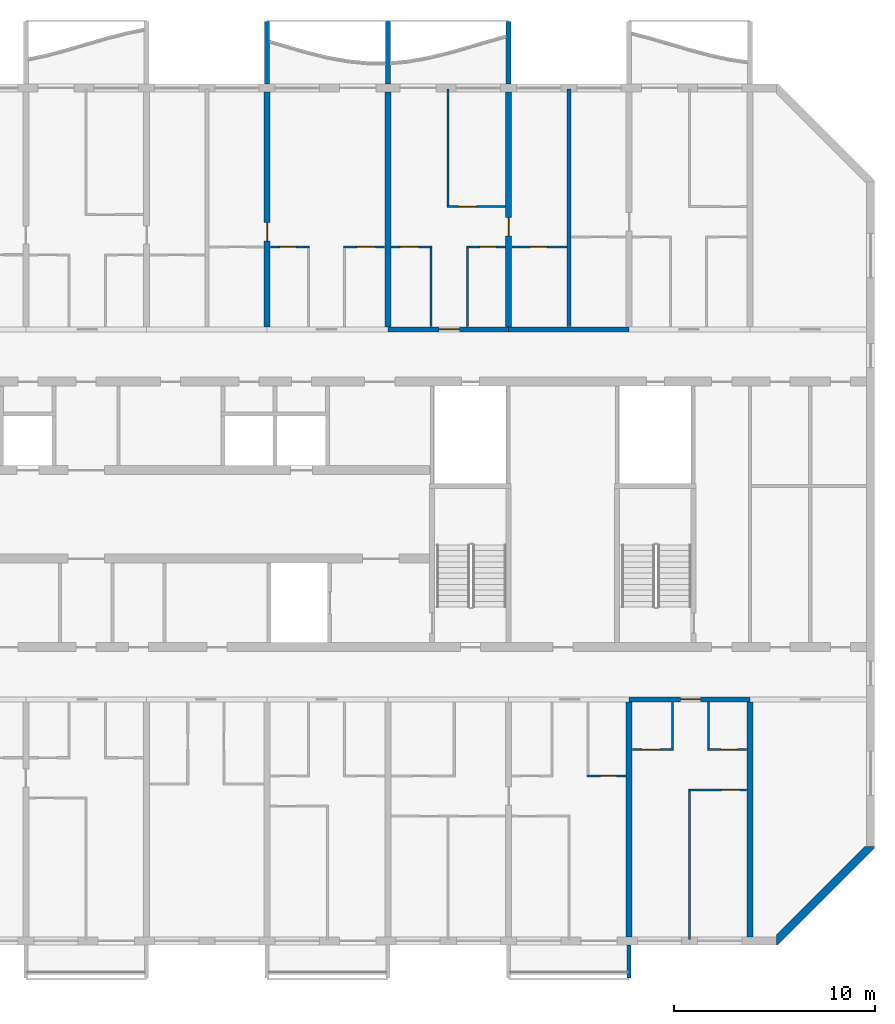
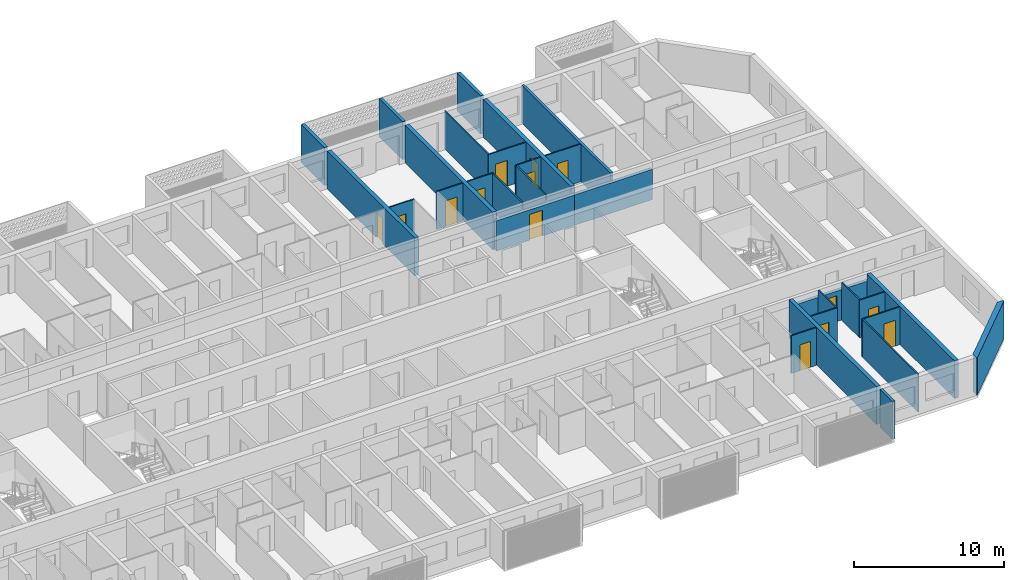
# One storey, part 11 of 32: 30 walls, 14 doors, 14 openings.
"""IFC4 building model written with IfcOpenShell, lengths in metres."""

from ifc_helpers import new_model, si_unit, direction, frame, frame_2d, origin, place, context, subcontext, project, spatial, polyline, rectangle, outline, extrude, source, transform, mapped, material, layer, layer_set, type_object, element, fill, save


model = new_model("IFC4")

# Units and contexts
model_context = context("Model", 3, precision=1e-05, world=origin(), true_north=direction((0.0, 1.0)))
body_context = subcontext(model_context, "Body", "Model", "MODEL_VIEW")
ifc_project = project(units=[si_unit("LENGTHUNIT", "METRE"), si_unit("AREAUNIT", "SQUARE_METRE"), si_unit("VOLUMEUNIT", "CUBIC_METRE"), si_unit("PLANEANGLEUNIT", "RADIAN"), si_unit("MASSUNIT", "GRAM", prefix="KILO")], contexts=[model_context])

# Site, building, storey
site_placement = place(None, origin())
site = spatial("IfcSite", under=ifc_project, at=site_placement, CompositionType="ELEMENT")
building_placement = place(site_placement, origin())
building = spatial("IfcBuilding", under=site, at=building_placement, Name="Poui Terraces", CompositionType="ELEMENT")
storey_placement = place(building_placement, frame((0.0, 0.0, 129.0)))
storey = spatial("IfcBuildingStorey", under=building, at=storey_placement, Name="L35", CompositionType="ELEMENT", Elevation=129.0)

# Wall, opening, door
ifc_material_1 = material(Name="Concrete 65 MPa", Category="concrete")
ifc_layer_1 = layer(ifc_material_1, 0.25)
ifc_layer_set_1 = layer_set([ifc_layer_1], Name="Concrete 65 MPa")
wall_type_1 = type_object("IfcWallType", Name="CORRIDOR WALL 250 65MPa", PredefinedType="SHEAR", material=ifc_layer_set_1)
wall_1_placement = place(storey_placement, frame((78.0, 12.0, 0.0), z_axis=(0.0, 0.0, 1.0), x_axis=(1.0, 0.0, 0.0)))
wall_1 = element("IfcWall", 1, at=wall_1_placement, inside=storey, type_object=wall_type_1, Name="CORRIDOR WALL LINE B BAY 12", PredefinedType="SHEAR", context=body_context, shape_type="SweptSolid", body=[
    extrude(rectangle(XDim=6.0, YDim=0.25, at=frame_2d((3.0, 0.0))), origin(), (0.0, 0.0, 1.0), 2.469970703125),
])
opening_1_placement = place(wall_1_placement, frame((2.550048828125, 0.0, 0.0)))
opening_1 = element("IfcOpeningElement", 2, at=opening_1_placement, cuts=wall_1, Name="Opening FD30S", PredefinedType="OPENING", context=body_context, shape_type="SweptSolid", body=[
    extrude(rectangle(XDim=1.0, YDim=2.10009765625, at=frame_2d((0.5, 1.050048828125))), frame((0.0, 0.135009765625, 0.0), z_axis=(0.0, -1.0, 0.0), x_axis=(1.0, 0.0, 0.0)), (0.0, 0.0, 1.0), 0.27001953125),
])
ifc_material_2 = material(Name="Steel fire door", Category="steel")
door_type_1 = type_object("IfcDoorType", Name="FLAT ENTRANCE DOOR 1000 X 2100", OperationType="NOTDEFINED", PredefinedType="DOOR", material=ifc_material_2)
door_1_placement = place(opening_1_placement, frame((1.0, 0.0, 0.0), z_axis=(0.0, 0.0, 1.0), x_axis=(-1.0, 0.0, 0.0)))
door_1 = element("IfcDoor", 3, at=door_1_placement, inside=storey, type_object=door_type_1, Name="FLAT ENTRANCE DOOR 117", OperationType="SINGLE_SWING_LEFT", OverallHeight=2.10009765625, OverallWidth=1.0, PredefinedType="DOOR", context=body_context, shape_type="SweptSolid", body=[
    extrude(rectangle(XDim=1.0, YDim=2.10009765625, at=frame_2d((0.5, 1.050048828125))), frame((0.0, 0.02490234375, 0.0), z_axis=(0.0, -1.0, 0.0), x_axis=(1.0, 0.0, 0.0)), (0.0, 0.0, 1.0), 0.050048828125),
])
fill(opening_1, door_1)

wall_2_placement = place(storey_placement, frame((66.0, 30.39990234375, 0.0), z_axis=(0.0, 0.0, 1.0), x_axis=(1.0, 0.0, 0.0)))
wall_2 = element("IfcWall", 4, at=wall_2_placement, inside=storey, type_object=wall_type_1, Name="CORRIDOR WALL LINE E BAY 10", PredefinedType="SHEAR", context=body_context, shape_type="SweptSolid", body=[
    extrude(rectangle(XDim=6.0, YDim=0.25, at=frame_2d((3.0, 0.0))), origin(), (0.0, 0.0, 1.0), 2.469970703125),
])
opening_2_placement = place(wall_2_placement, frame((2.550048828125, 0.0, 0.0)))
opening_2 = element("IfcOpeningElement", 5, at=opening_2_placement, cuts=wall_2, Name="Opening FD30S", PredefinedType="OPENING", context=body_context, shape_type="SweptSolid", body=[
    extrude(rectangle(XDim=1.0, YDim=2.10009765625, at=frame_2d((0.5, 1.050048828125))), frame((0.0, 0.135009765625, 0.0), z_axis=(0.0, -1.0, 0.0), x_axis=(1.0, 0.0, 0.0)), (0.0, 0.0, 1.0), 0.27001953125),
])
door_2_placement = place(opening_2_placement, origin())
door_2 = element("IfcDoor", 6, at=door_2_placement, inside=storey, type_object=door_type_1, Name="FLAT ENTRANCE DOOR 067", OperationType="SINGLE_SWING_RIGHT", OverallHeight=2.10009765625, OverallWidth=1.0, PredefinedType="DOOR", context=body_context, shape_type="SweptSolid", body=[
    extrude(rectangle(XDim=1.0, YDim=2.10009765625, at=frame_2d((0.5, 1.050048828125))), frame((0.0, 0.02490234375, 0.0), z_axis=(0.0, -1.0, 0.0), x_axis=(1.0, 0.0, 0.0)), (0.0, 0.0, 1.0), 0.050048828125),
])
fill(opening_2, door_2)

# Wall
wall_3_placement = place(storey_placement, frame((72.0, 30.39990234375, 0.0), z_axis=(0.0, 0.0, 1.0), x_axis=(1.0, 0.0, 0.0)))
element("IfcWall", 7, at=wall_3_placement, inside=storey, type_object=wall_type_1, Name="CORRIDOR WALL LINE E BAY 11", PredefinedType="SHEAR", context=body_context, shape_type="SweptSolid", body=[
    extrude(rectangle(XDim=6.0, YDim=0.25, at=frame_2d((3.0, 0.0))), origin(), (0.0, 0.0, 1.0), 2.469970703125),
])

# Wall, opening, door
ifc_layer_2 = layer(ifc_material_1, 0.300048828125)
ifc_layer_set_2 = layer_set([ifc_layer_2], Name="Concrete 65 MPa")
wall_type_2 = type_object("IfcWallType", Name="CROSS WALL 300 65MPa", PredefinedType="SHEAR", material=ifc_layer_set_2)
wall_4_placement = place(storey_placement, frame((60.0, 30.52490234375, 0.0), z_axis=(0.0, 0.0, 1.0), x_axis=(0.0, 1.0, 0.0)))
wall_4 = element("IfcWall", 8, at=wall_4_placement, inside=storey, type_object=wall_type_2, Name="CROSS WALL LINE 11 NORTH", PredefinedType="SHEAR", context=body_context, shape_type="SweptSolid", body=[
    extrude(rectangle(XDim=11.675048828125, YDim=0.300048828125, at=frame_2d((5.83740234375, 0.0))), origin(), (0.0, 0.0, 1.0), 3.070068359375),
])
opening_3_placement = place(wall_4_placement, frame((4.27490234375, 0.0, 0.0)))
opening_3 = element("IfcOpeningElement", 9, at=opening_3_placement, cuts=wall_4, Name="Opening D90", PredefinedType="OPENING", context=body_context, shape_type="SweptSolid", body=[
    extrude(rectangle(XDim=0.89990234375, YDim=2.10009765625, at=frame_2d((0.449951171875, 1.050048828125))), frame((0.0, 0.16015625, 0.0), z_axis=(0.0, -1.0, 0.0), x_axis=(1.0, 0.0, 0.0)), (0.0, 0.0, 1.0), 0.320068359375),
])
ifc_material_3 = material(Name="Solid core timber door", Category="wood")
door_type_2 = type_object("IfcDoorType", Name="INTERNAL DOOR 900 X 2100", OperationType="NOTDEFINED", PredefinedType="DOOR", material=ifc_material_3)
door_3_placement = place(opening_3_placement, origin())
door_3 = element("IfcDoor", 10, at=door_3_placement, inside=storey, type_object=door_type_2, Name="INTERNAL DOOR 061", OperationType="SINGLE_SWING_LEFT", OverallHeight=2.10009765625, OverallWidth=0.89990234375, PredefinedType="DOOR", context=body_context, shape_type="SweptSolid", body=[
    extrude(rectangle(XDim=0.89990234375, YDim=2.10009765625, at=frame_2d((0.449951171875, 1.050048828125))), frame((0.0, 0.02490234375, 0.0), z_axis=(0.0, -1.0, 0.0), x_axis=(1.0, 0.0, 0.0)), (0.0, 0.0, 1.0), 0.050048828125),
])
fill(opening_3, door_3)

# Wall
wall_5_placement = place(storey_placement, frame((66.0, 30.52490234375, 0.0), z_axis=(0.0, 0.0, 1.0), x_axis=(0.0, 1.0, 0.0)))
element("IfcWall", 11, at=wall_5_placement, inside=storey, type_object=wall_type_2, Name="CROSS WALL LINE 12 NORTH", PredefinedType="SHEAR", context=body_context, shape_type="SweptSolid", body=[
    extrude(rectangle(XDim=11.675048828125, YDim=0.300048828125, at=frame_2d((5.83740234375, 0.0))), origin(), (0.0, 0.0, 1.0), 3.070068359375),
])

# Wall, opening, door
wall_6_placement = place(storey_placement, frame((72.0, 30.52490234375, 0.0), z_axis=(0.0, 0.0, 1.0), x_axis=(0.0, 1.0, 0.0)))
wall_6 = element("IfcWall", 12, at=wall_6_placement, inside=storey, type_object=wall_type_2, Name="CROSS WALL LINE 13 NORTH", PredefinedType="SHEAR", context=body_context, shape_type="SweptSolid", body=[
    extrude(rectangle(XDim=11.675048828125, YDim=0.300048828125, at=frame_2d((5.83740234375, 0.0))), origin(), (0.0, 0.0, 1.0), 3.070068359375),
])
opening_4_placement = place(wall_6_placement, frame((4.52490234375, 0.0, 0.0)))
opening_4 = element("IfcOpeningElement", 13, at=opening_4_placement, cuts=wall_6, Name="Opening D90", PredefinedType="OPENING", context=body_context, shape_type="SweptSolid", body=[
    extrude(rectangle(XDim=0.89990234375, YDim=2.10009765625, at=frame_2d((0.449951171875, 1.050048828125))), frame((0.0, 0.16015625, 0.0), z_axis=(0.0, -1.0, 0.0), x_axis=(1.0, 0.0, 0.0)), (0.0, 0.0, 1.0), 0.320068359375),
])
door_4_placement = place(opening_4_placement, frame((0.89990234375, 0.0, 0.0), z_axis=(0.0, 0.0, 1.0), x_axis=(-1.0, 0.0, 0.0)))
door_4 = element("IfcDoor", 14, at=door_4_placement, inside=storey, type_object=door_type_2, Name="INTERNAL DOOR 070", OperationType="SINGLE_SWING_RIGHT", OverallHeight=2.10009765625, OverallWidth=0.89990234375, PredefinedType="DOOR", context=body_context, shape_type="SweptSolid", body=[
    extrude(rectangle(XDim=0.89990234375, YDim=2.10009765625, at=frame_2d((0.449951171875, 1.050048828125))), frame((0.0, 0.02490234375, 0.0), z_axis=(0.0, -1.0, 0.0), x_axis=(1.0, 0.0, 0.0)), (0.0, 0.0, 1.0), 0.050048828125),
])
fill(opening_4, door_4)

# Walls
for number, where, z_axis, x_axis, name in (
    (15, (78.0, 0.199951171875, 0.0), (0.0, 0.0, 1.0), (0.0, 1.0, 0.0), "CROSS WALL LINE 14 SOUTH"),
    (16, (84.0, 0.199951171875, 0.0), (0.0, 0.0, 1.0), (0.0, 1.0, 0.0), "CROSS WALL LINE 15 SOUTH"),
):
    element("IfcWall", number, at=place(storey_placement, frame(where, z_axis=z_axis, x_axis=x_axis)), inside=storey, type_object=wall_type_2, Name=name, PredefinedType="SHEAR", context=body_context, shape_type="SweptSolid", body=[
        extrude(rectangle(XDim=11.675048828125, YDim=0.300048828125, at=frame_2d((5.83740234375, 0.0))), origin(), (0.0, 0.0, 1.0), 3.070068359375),
    ])

# Wall, opening, door
ifc_material_4 = material(Name="Plasterboard partition")
ifc_layer_3 = layer(ifc_material_4, 0.10009765625)
ifc_layer_set_3 = layer_set([ifc_layer_3], Name="Plasterboard partition")
wall_type_3 = type_object("IfcWallType", Name="FLAT PARTITION 100", PredefinedType="PARTITIONING", material=ifc_layer_set_3)
wall_7_placement = place(storey_placement, frame((80.949951171875, 7.5, 0.0), z_axis=(0.0, 0.0, 1.0), x_axis=(1.0, 0.0, 0.0)))
wall_7 = element("IfcWall", 17, at=wall_7_placement, inside=storey, type_object=wall_type_3, Name="FLAT PARTITION 100", PredefinedType="PARTITIONING", context=body_context, shape_type="SweptSolid", body=[
    extrude(rectangle(XDim=2.89013671875, YDim=0.10009765625, at=frame_2d((1.445068359375, 0.0))), origin(), (0.0, 0.0, 1.0), 3.070068359375),
])
opening_5_placement = place(wall_7_placement, frame((1.64990234375, 0.0, 0.0)))
opening_5 = element("IfcOpeningElement", 18, at=opening_5_placement, cuts=wall_7, Name="Opening D90", PredefinedType="OPENING", context=body_context, shape_type="SweptSolid", body=[
    extrude(rectangle(XDim=0.89990234375, YDim=2.10009765625, at=frame_2d((0.449951171875, 1.050048828125))), frame((0.0, 0.06005859375, 0.0), z_axis=(0.0, -1.0, 0.0), x_axis=(1.0, 0.0, 0.0)), (0.0, 0.0, 1.0), 0.1201171875),
])
door_5_placement = place(opening_5_placement, origin())
door_5 = element("IfcDoor", 19, at=door_5_placement, inside=storey, type_object=door_type_2, Name="INTERNAL DOOR 119", OperationType="SINGLE_SWING_LEFT", OverallHeight=2.10009765625, OverallWidth=0.89990234375, PredefinedType="DOOR", context=body_context, shape_type="SweptSolid", body=[
    extrude(rectangle(XDim=0.89990234375, YDim=2.10009765625, at=frame_2d((0.449951171875, 1.050048828125))), frame((0.0, 0.02490234375, 0.0), z_axis=(0.0, -1.0, 0.0), x_axis=(1.0, 0.0, 0.0)), (0.0, 0.0, 1.0), 0.050048828125),
])
fill(opening_5, door_5)

wall_8_placement = place(storey_placement, frame((75.89990234375, 8.199951171875, 0.0), z_axis=(0.0, 0.0, 1.0), x_axis=(1.0, 0.0, 0.0)))
wall_8 = element("IfcWall", 20, at=wall_8_placement, inside=storey, type_object=wall_type_3, Name="FLAT PARTITION 100", PredefinedType="PARTITIONING", context=body_context, shape_type="SweptSolid", body=[
    extrude(rectangle(XDim=1.940185546875, YDim=0.10009765625, at=frame_2d((0.97021484375, 0.0))), origin(), (0.0, 0.0, 1.0), 3.070068359375),
])
opening_6_placement = place(wall_8_placement, frame((0.675048828125, 0.0, 0.0)))
opening_6 = element("IfcOpeningElement", 21, at=opening_6_placement, cuts=wall_8, Name="Opening D80", PredefinedType="OPENING", context=body_context, shape_type="SweptSolid", body=[
    extrude(rectangle(XDim=0.800048828125, YDim=2.10009765625, at=frame_2d((0.39990234375, 1.050048828125))), frame((0.0, 0.06005859375, 0.0), z_axis=(0.0, -1.0, 0.0), x_axis=(1.0, 0.0, 0.0)), (0.0, 0.0, 1.0), 0.1201171875),
])
door_type_3 = type_object("IfcDoorType", Name="BATHROOM, LAUNDRY AND STORE DOOR 800 X 2100", OperationType="NOTDEFINED", PredefinedType="DOOR", material=ifc_material_3)
door_6_placement = place(opening_6_placement, origin())
door_6 = element("IfcDoor", 22, at=door_6_placement, inside=storey, type_object=door_type_3, Name="BATHROOM, LAUNDRY AND STORE DOOR 115", OperationType="SINGLE_SWING_RIGHT", OverallHeight=2.10009765625, OverallWidth=0.800048828125, PredefinedType="DOOR", context=body_context, shape_type="SweptSolid", body=[
    extrude(rectangle(XDim=0.800048828125, YDim=2.10009765625, at=frame_2d((0.39990234375, 1.050048828125))), frame((0.0, 0.02490234375, 0.0), z_axis=(0.0, -1.0, 0.0), x_axis=(1.0, 0.0, 0.0)), (0.0, 0.0, 1.0), 0.050048828125),
])
fill(opening_6, door_6)

wall_9_placement = place(storey_placement, frame((78.159912109375, 9.5, 0.0), z_axis=(0.0, 0.0, 1.0), x_axis=(1.0, 0.0, 0.0)))
wall_9 = element("IfcWall", 23, at=wall_9_placement, inside=storey, type_object=wall_type_3, Name="FLAT PARTITION 100", PredefinedType="PARTITIONING", context=body_context, shape_type="SweptSolid", body=[
    extrude(rectangle(XDim=2.0400390625, YDim=0.10009765625, at=frame_2d((1.02001953125, 0.0))), origin(), (0.0, 0.0, 1.0), 3.070068359375),
])
opening_7_placement = place(wall_9_placement, frame((0.465087890625, 0.0, 0.0)))
opening_7 = element("IfcOpeningElement", 24, at=opening_7_placement, cuts=wall_9, Name="Opening D90", PredefinedType="OPENING", context=body_context, shape_type="SweptSolid", body=[
    extrude(rectangle(XDim=0.89990234375, YDim=2.10009765625, at=frame_2d((0.449951171875, 1.050048828125))), frame((0.0, 0.06005859375, 0.0), z_axis=(0.0, -1.0, 0.0), x_axis=(1.0, 0.0, 0.0)), (0.0, 0.0, 1.0), 0.1201171875),
])
door_7_placement = place(opening_7_placement, origin())
door_7 = element("IfcDoor", 25, at=door_7_placement, inside=storey, type_object=door_type_2, Name="INTERNAL DOOR 116", OperationType="SINGLE_SWING_LEFT", OverallHeight=2.10009765625, OverallWidth=0.89990234375, PredefinedType="DOOR", context=body_context, shape_type="SweptSolid", body=[
    extrude(rectangle(XDim=0.89990234375, YDim=2.10009765625, at=frame_2d((0.449951171875, 1.050048828125))), frame((0.0, 0.02490234375, 0.0), z_axis=(0.0, -1.0, 0.0), x_axis=(1.0, 0.0, 0.0)), (0.0, 0.0, 1.0), 0.050048828125),
])
fill(opening_7, door_7)

wall_10_placement = place(storey_placement, frame((81.89990234375, 9.5, 0.0), z_axis=(0.0, 0.0, 1.0), x_axis=(1.0, 0.0, 0.0)))
wall_10 = element("IfcWall", 26, at=wall_10_placement, inside=storey, type_object=wall_type_3, Name="FLAT PARTITION 100", PredefinedType="PARTITIONING", context=body_context, shape_type="SweptSolid", body=[
    extrude(rectangle(XDim=1.940185546875, YDim=0.10009765625, at=frame_2d((0.97021484375, 0.0))), origin(), (0.0, 0.0, 1.0), 3.070068359375),
])
opening_8_placement = place(wall_10_placement, frame((0.675048828125, 0.0, 0.0)))
opening_8 = element("IfcOpeningElement", 27, at=opening_8_placement, cuts=wall_10, Name="Opening D80", PredefinedType="OPENING", context=body_context, shape_type="SweptSolid", body=[
    extrude(rectangle(XDim=0.800048828125, YDim=2.10009765625, at=frame_2d((0.39990234375, 1.050048828125))), frame((0.0, 0.06005859375, 0.0), z_axis=(0.0, -1.0, 0.0), x_axis=(1.0, 0.0, 0.0)), (0.0, 0.0, 1.0), 0.1201171875),
])
door_8_placement = place(opening_8_placement, origin())
door_8 = element("IfcDoor", 28, at=door_8_placement, inside=storey, type_object=door_type_3, Name="BATHROOM, LAUNDRY AND STORE DOOR 118", OperationType="SINGLE_SWING_RIGHT", OverallHeight=2.10009765625, OverallWidth=0.800048828125, PredefinedType="DOOR", context=body_context, shape_type="SweptSolid", body=[
    extrude(rectangle(XDim=0.800048828125, YDim=2.10009765625, at=frame_2d((0.39990234375, 1.050048828125))), frame((0.0, 0.02490234375, 0.0), z_axis=(0.0, -1.0, 0.0), x_axis=(1.0, 0.0, 0.0)), (0.0, 0.0, 1.0), 0.050048828125),
])
fill(opening_8, door_8)

wall_11_placement = place(storey_placement, frame((60.159912109375, 34.5, 0.0), z_axis=(0.0, 0.0, 1.0), x_axis=(1.0, 0.0, 0.0)))
wall_11 = element("IfcWall", 29, at=wall_11_placement, inside=storey, type_object=wall_type_3, Name="FLAT PARTITION 100", PredefinedType="PARTITIONING", context=body_context, shape_type="SweptSolid", body=[
    extrude(rectangle(XDim=1.940185546875, YDim=0.10009765625, at=frame_2d((0.97021484375, 0.0))), origin(), (0.0, 0.0, 1.0), 3.070068359375),
])
opening_9_placement = place(wall_11_placement, frame((0.465087890625, 0.0, 0.0)))
opening_9 = element("IfcOpeningElement", 30, at=opening_9_placement, cuts=wall_11, Name="Opening D80", PredefinedType="OPENING", context=body_context, shape_type="SweptSolid", body=[
    extrude(rectangle(XDim=0.800048828125, YDim=2.10009765625, at=frame_2d((0.39990234375, 1.050048828125))), frame((0.0, 0.06005859375, 0.0), z_axis=(0.0, -1.0, 0.0), x_axis=(1.0, 0.0, 0.0)), (0.0, 0.0, 1.0), 0.1201171875),
])
door_9_placement = place(opening_9_placement, frame((0.800048828125, 0.0, 0.0), z_axis=(0.0, 0.0, 1.0), x_axis=(-1.0, 0.0, 0.0)))
door_9 = element("IfcDoor", 31, at=door_9_placement, inside=storey, type_object=door_type_3, Name="BATHROOM, LAUNDRY AND STORE DOOR 062", OperationType="SINGLE_SWING_LEFT", OverallHeight=2.10009765625, OverallWidth=0.800048828125, PredefinedType="DOOR", context=body_context, shape_type="SweptSolid", body=[
    extrude(rectangle(XDim=0.800048828125, YDim=2.10009765625, at=frame_2d((0.39990234375, 1.050048828125))), frame((0.0, 0.02490234375, 0.0), z_axis=(0.0, -1.0, 0.0), x_axis=(1.0, 0.0, 0.0)), (0.0, 0.0, 1.0), 0.050048828125),
])
fill(opening_9, door_9)

wall_12_placement = place(storey_placement, frame((63.800048828125, 34.5, 0.0), z_axis=(0.0, 0.0, 1.0), x_axis=(1.0, 0.0, 0.0)))
wall_12 = element("IfcWall", 32, at=wall_12_placement, inside=storey, type_object=wall_type_3, Name="FLAT PARTITION 100", PredefinedType="PARTITIONING", context=body_context, shape_type="SweptSolid", body=[
    extrude(rectangle(XDim=2.0400390625, YDim=0.10009765625, at=frame_2d((1.02001953125, 0.0))), origin(), (0.0, 0.0, 1.0), 3.070068359375),
])
opening_10_placement = place(wall_12_placement, frame((0.675048828125, 0.0, 0.0)))
opening_10 = element("IfcOpeningElement", 33, at=opening_10_placement, cuts=wall_12, Name="Opening D90", PredefinedType="OPENING", context=body_context, shape_type="SweptSolid", body=[
    extrude(rectangle(XDim=0.89990234375, YDim=2.10009765625, at=frame_2d((0.449951171875, 1.050048828125))), frame((0.0, 0.06005859375, 0.0), z_axis=(0.0, -1.0, 0.0), x_axis=(1.0, 0.0, 0.0)), (0.0, 0.0, 1.0), 0.1201171875),
])
door_10_placement = place(opening_10_placement, frame((0.89990234375, 0.0, 0.0), z_axis=(0.0, 0.0, 1.0), x_axis=(-1.0, 0.0, 0.0)))
door_10 = element("IfcDoor", 34, at=door_10_placement, inside=storey, type_object=door_type_2, Name="INTERNAL DOOR 064", OperationType="SINGLE_SWING_RIGHT", OverallHeight=2.10009765625, OverallWidth=0.89990234375, PredefinedType="DOOR", context=body_context, shape_type="SweptSolid", body=[
    extrude(rectangle(XDim=0.89990234375, YDim=2.10009765625, at=frame_2d((0.449951171875, 1.050048828125))), frame((0.0, 0.02490234375, 0.0), z_axis=(0.0, -1.0, 0.0), x_axis=(1.0, 0.0, 0.0)), (0.0, 0.0, 1.0), 0.050048828125),
])
fill(opening_10, door_10)

wall_13_placement = place(storey_placement, frame((66.159912109375, 34.5, 0.0), z_axis=(0.0, 0.0, 1.0), x_axis=(1.0, 0.0, 0.0)))
wall_13 = element("IfcWall", 35, at=wall_13_placement, inside=storey, type_object=wall_type_3, Name="FLAT PARTITION 100", PredefinedType="PARTITIONING", context=body_context, shape_type="SweptSolid", body=[
    extrude(rectangle(XDim=2.0400390625, YDim=0.10009765625, at=frame_2d((1.02001953125, 0.0))), origin(), (0.0, 0.0, 1.0), 3.070068359375),
])
opening_11_placement = place(wall_13_placement, frame((0.465087890625, 0.0, 0.0)))
opening_11 = element("IfcOpeningElement", 36, at=opening_11_placement, cuts=wall_13, Name="Opening D90", PredefinedType="OPENING", context=body_context, shape_type="SweptSolid", body=[
    extrude(rectangle(XDim=0.89990234375, YDim=2.10009765625, at=frame_2d((0.449951171875, 1.050048828125))), frame((0.0, 0.06005859375, 0.0), z_axis=(0.0, -1.0, 0.0), x_axis=(1.0, 0.0, 0.0)), (0.0, 0.0, 1.0), 0.1201171875),
])
door_11_placement = place(opening_11_placement, frame((0.89990234375, 0.0, 0.0), z_axis=(0.0, 0.0, 1.0), x_axis=(-1.0, 0.0, 0.0)))
door_11 = element("IfcDoor", 37, at=door_11_placement, inside=storey, type_object=door_type_2, Name="INTERNAL DOOR 066", OperationType="SINGLE_SWING_LEFT", OverallHeight=2.10009765625, OverallWidth=0.89990234375, PredefinedType="DOOR", context=body_context, shape_type="SweptSolid", body=[
    extrude(rectangle(XDim=0.89990234375, YDim=2.10009765625, at=frame_2d((0.449951171875, 1.050048828125))), frame((0.0, 0.02490234375, 0.0), z_axis=(0.0, -1.0, 0.0), x_axis=(1.0, 0.0, 0.0)), (0.0, 0.0, 1.0), 0.050048828125),
])
fill(opening_11, door_11)

wall_14_placement = place(storey_placement, frame((69.89990234375, 34.5, 0.0), z_axis=(0.0, 0.0, 1.0), x_axis=(1.0, 0.0, 0.0)))
wall_14 = element("IfcWall", 38, at=wall_14_placement, inside=storey, type_object=wall_type_3, Name="FLAT PARTITION 100", PredefinedType="PARTITIONING", context=body_context, shape_type="SweptSolid", body=[
    extrude(rectangle(XDim=1.940185546875, YDim=0.10009765625, at=frame_2d((0.97021484375, 0.0))), origin(), (0.0, 0.0, 1.0), 3.070068359375),
])
opening_12_placement = place(wall_14_placement, frame((0.675048828125, 0.0, 0.0)))
opening_12 = element("IfcOpeningElement", 39, at=opening_12_placement, cuts=wall_14, Name="Opening D80", PredefinedType="OPENING", context=body_context, shape_type="SweptSolid", body=[
    extrude(rectangle(XDim=0.800048828125, YDim=2.10009765625, at=frame_2d((0.39990234375, 1.050048828125))), frame((0.0, 0.06005859375, 0.0), z_axis=(0.0, -1.0, 0.0), x_axis=(1.0, 0.0, 0.0)), (0.0, 0.0, 1.0), 0.1201171875),
])
door_12_placement = place(opening_12_placement, frame((0.800048828125, 0.0, 0.0), z_axis=(0.0, 0.0, 1.0), x_axis=(-1.0, 0.0, 0.0)))
door_12 = element("IfcDoor", 40, at=door_12_placement, inside=storey, type_object=door_type_3, Name="BATHROOM, LAUNDRY AND STORE DOOR 069", OperationType="SINGLE_SWING_RIGHT", OverallHeight=2.10009765625, OverallWidth=0.800048828125, PredefinedType="DOOR", context=body_context, shape_type="SweptSolid", body=[
    extrude(rectangle(XDim=0.800048828125, YDim=2.10009765625, at=frame_2d((0.39990234375, 1.050048828125))), frame((0.0, 0.02490234375, 0.0), z_axis=(0.0, -1.0, 0.0), x_axis=(1.0, 0.0, 0.0)), (0.0, 0.0, 1.0), 0.050048828125),
])
fill(opening_12, door_12)

wall_15_placement = place(storey_placement, frame((72.159912109375, 34.5, 0.0), z_axis=(0.0, 0.0, 1.0), x_axis=(1.0, 0.0, 0.0)))
wall_15 = element("IfcWall", 41, at=wall_15_placement, inside=storey, type_object=wall_type_3, Name="FLAT PARTITION 100", PredefinedType="PARTITIONING", context=body_context, shape_type="SweptSolid", body=[
    extrude(rectangle(XDim=2.739990234375, YDim=0.10009765625, at=frame_2d((1.3701171875, 0.0))), origin(), (0.0, 0.0, 1.0), 3.070068359375),
])
opening_13_placement = place(wall_15_placement, frame((0.93994140625, 0.0, 0.0)))
opening_13 = element("IfcOpeningElement", 42, at=opening_13_placement, cuts=wall_15, Name="Opening D80", PredefinedType="OPENING", context=body_context, shape_type="SweptSolid", body=[
    extrude(rectangle(XDim=0.800048828125, YDim=2.10009765625, at=frame_2d((0.39990234375, 1.050048828125))), frame((0.0, 0.06005859375, 0.0), z_axis=(0.0, -1.0, 0.0), x_axis=(1.0, 0.0, 0.0)), (0.0, 0.0, 1.0), 0.1201171875),
])
door_13_placement = place(opening_13_placement, frame((0.800048828125, 0.0, 0.0), z_axis=(0.0, 0.0, 1.0), x_axis=(-1.0, 0.0, 0.0)))
door_13 = element("IfcDoor", 43, at=door_13_placement, inside=storey, type_object=door_type_3, Name="BATHROOM, LAUNDRY AND STORE DOOR 065", OperationType="SINGLE_SWING_LEFT", OverallHeight=2.10009765625, OverallWidth=0.800048828125, PredefinedType="DOOR", context=body_context, shape_type="SweptSolid", body=[
    extrude(rectangle(XDim=0.800048828125, YDim=2.10009765625, at=frame_2d((0.39990234375, 1.050048828125))), frame((0.0, 0.02490234375, 0.0), z_axis=(0.0, -1.0, 0.0), x_axis=(1.0, 0.0, 0.0)), (0.0, 0.0, 1.0), 0.050048828125),
])
fill(opening_13, door_13)

wall_16_placement = place(storey_placement, frame((68.949951171875, 36.5, 0.0), z_axis=(0.0, 0.0, 1.0), x_axis=(1.0, 0.0, 0.0)))
wall_16 = element("IfcWall", 44, at=wall_16_placement, inside=storey, type_object=wall_type_3, Name="FLAT PARTITION 100", PredefinedType="PARTITIONING", context=body_context, shape_type="SweptSolid", body=[
    extrude(rectangle(XDim=2.89013671875, YDim=0.10009765625, at=frame_2d((1.445068359375, 0.0))), origin(), (0.0, 0.0, 1.0), 3.070068359375),
])
opening_14_placement = place(wall_16_placement, frame((0.550048828125, 0.0, 0.0)))
opening_14 = element("IfcOpeningElement", 45, at=opening_14_placement, cuts=wall_16, Name="Opening D90", PredefinedType="OPENING", context=body_context, shape_type="SweptSolid", body=[
    extrude(rectangle(XDim=0.89990234375, YDim=2.10009765625, at=frame_2d((0.449951171875, 1.050048828125))), frame((0.0, 0.06005859375, 0.0), z_axis=(0.0, -1.0, 0.0), x_axis=(1.0, 0.0, 0.0)), (0.0, 0.0, 1.0), 0.1201171875),
])
door_14_placement = place(opening_14_placement, frame((0.89990234375, 0.0, 0.0), z_axis=(0.0, 0.0, 1.0), x_axis=(-1.0, 0.0, 0.0)))
door_14 = element("IfcDoor", 46, at=door_14_placement, inside=storey, type_object=door_type_2, Name="INTERNAL DOOR 068", OperationType="SINGLE_SWING_LEFT", OverallHeight=2.10009765625, OverallWidth=0.89990234375, PredefinedType="DOOR", context=body_context, shape_type="SweptSolid", body=[
    extrude(rectangle(XDim=0.89990234375, YDim=2.10009765625, at=frame_2d((0.449951171875, 1.050048828125))), frame((0.0, 0.02490234375, 0.0), z_axis=(0.0, -1.0, 0.0), x_axis=(1.0, 0.0, 0.0)), (0.0, 0.0, 1.0), 0.050048828125),
])
fill(opening_14, door_14)

# Walls
wall_17_placement = place(storey_placement, frame((68.14990234375, 30.534912109375, 0.0), z_axis=(0.0, 0.0, 1.0), x_axis=(0.0, 1.0, 0.0)))
element("IfcWall", 47, at=wall_17_placement, inside=storey, type_object=wall_type_3, Name="FLAT PARTITION 100", PredefinedType="PARTITIONING", context=body_context, shape_type="SweptSolid", body=[
    extrude(rectangle(XDim=3.9150390625, YDim=0.10009765625, at=frame_2d((1.95751953125, 0.0))), origin(), (0.0, 0.0, 1.0), 3.070068359375),
])
wall_18_placement = place(storey_placement, frame((69.0, 36.550048828125, 0.0), z_axis=(0.0, 0.0, 1.0), x_axis=(0.0, 1.0, 0.0)))
element("IfcWall", 48, at=wall_18_placement, inside=storey, type_object=wall_type_3, Name="FLAT PARTITION 100", PredefinedType="PARTITIONING", context=body_context, shape_type="SweptSolid", body=[
    extrude(rectangle(XDim=5.7900390625, YDim=0.10009765625, at=frame_2d((2.89501953125, 0.0))), origin(), (0.0, 0.0, 1.0), 3.070068359375),
])
wall_19_placement = place(storey_placement, frame((69.949951171875, 30.534912109375, 0.0), z_axis=(0.0, 0.0, 1.0), x_axis=(0.0, 1.0, 0.0)))
element("IfcWall", 49, at=wall_19_placement, inside=storey, type_object=wall_type_3, Name="FLAT PARTITION 100", PredefinedType="PARTITIONING", context=body_context, shape_type="SweptSolid", body=[
    extrude(rectangle(XDim=3.9150390625, YDim=0.10009765625, at=frame_2d((1.95751953125, 0.0))), origin(), (0.0, 0.0, 1.0), 3.070068359375),
])
wall_20_placement = place(storey_placement, frame((80.14990234375, 9.550048828125, 0.0), z_axis=(0.0, 0.0, 1.0), x_axis=(0.0, 1.0, 0.0)))
element("IfcWall", 50, at=wall_20_placement, inside=storey, type_object=wall_type_3, Name="FLAT PARTITION 100", PredefinedType="PARTITIONING", context=body_context, shape_type="SweptSolid", body=[
    extrude(rectangle(XDim=2.31494140625, YDim=0.10009765625, at=frame_2d((1.157470703125, 0.0))), origin(), (0.0, 0.0, 1.0), 3.070068359375),
])
wall_21_placement = place(storey_placement, frame((81.0, 0.06005859375, 0.0), z_axis=(0.0, 0.0, 1.0), x_axis=(0.0, 1.0, 0.0)))
element("IfcWall", 51, at=wall_21_placement, inside=storey, type_object=wall_type_3, Name="FLAT PARTITION 100", PredefinedType="PARTITIONING", context=body_context, shape_type="SweptSolid", body=[
    extrude(rectangle(XDim=7.389892578125, YDim=0.10009765625, at=frame_2d((3.69482421875, 0.0))), origin(), (0.0, 0.0, 1.0), 3.070068359375),
])
wall_22_placement = place(storey_placement, frame((81.949951171875, 9.550048828125, 0.0), z_axis=(0.0, 0.0, 1.0), x_axis=(0.0, 1.0, 0.0)))
element("IfcWall", 52, at=wall_22_placement, inside=storey, type_object=wall_type_3, Name="FLAT PARTITION 100", PredefinedType="PARTITIONING", context=body_context, shape_type="SweptSolid", body=[
    extrude(rectangle(XDim=2.31494140625, YDim=0.10009765625, at=frame_2d((1.157470703125, 0.0))), origin(), (0.0, 0.0, 1.0), 3.070068359375),
])
ifc_material_5 = material(Name="Fire-rated masonry wall", Category="masonry")
ifc_layer_4 = layer(ifc_material_5, 0.199951171875)
ifc_layer_set_4 = layer_set([ifc_layer_4], Name="Fire-rated masonry wall")
wall_type_4 = type_object("IfcWallType", Name="FLAT PARTY WALL 200", PredefinedType="PARTITIONING", material=ifc_layer_set_4)
wall_23_placement = place(storey_placement, frame((75.0, 30.534912109375, 0.0), z_axis=(0.0, 0.0, 1.0), x_axis=(0.0, 1.0, 0.0)))
element("IfcWall", 53, at=wall_23_placement, inside=storey, type_object=wall_type_4, Name="FLAT PARTY WALL 200", PredefinedType="PARTITIONING", context=body_context, shape_type="SweptSolid", body=[
    extrude(rectangle(XDim=11.80517578125, YDim=0.199951171875, at=frame_2d((5.902587890625, 0.0))), origin(), (0.0, 0.0, 1.0), 3.070068359375),
])
ifc_material_6 = material(Name="Precast concrete 40 MPa", Category="concrete")
ifc_layer_5 = layer(ifc_material_6, 0.39990234375)
ifc_layer_set_5 = layer_set([ifc_layer_5], Name="Precast concrete 40 MPa")
wall_type_5 = type_object("IfcWallType", Name="TERRACOTTA CLAD CHAMFER WALL 400", PredefinedType="STANDARD", material=ifc_layer_set_5)
wall_24_placement = place(storey_placement, origin())
element("IfcWall", 54, at=wall_24_placement, inside=storey, type_object=wall_type_5, Name="CHAMFER WALL CH01", PredefinedType="STANDARD", context=body_context, shape_type="SweptSolid", body=[
    extrude(outline(polyline([(85.317138671875, -0.199951171875), (85.39990234375, -0.199951171875), (90.199951171875, 4.60009765625), (90.199951171875, 4.682861328125), (89.71728515625, 4.682861328125), (85.317138671875, 0.28271484375), (85.317138671875, -0.199951171875)])), origin(), (0.0, 0.0, 1.0), 3.070068359375),
])
ifc_layer_6 = layer(ifc_material_6, 0.199951171875)
ifc_layer_set_6 = layer_set([ifc_layer_6], Name="Precast concrete 40 MPa")
wall_type_6 = type_object("IfcWallType", Name="REAR FIN 200", PredefinedType="STANDARD", material=ifc_layer_set_6)
shared_shape_1 = source(origin(), body_context, "Body", "SweptSolid", [
    extrude(outline(polyline([(0.0, 0.0), (0.2001953125, 0.0), (0.2001953125, 1.650146484375), (0.0, 1.650146484375), (0.0, 0.0)])), origin(), (0.0, 0.0, 1.0), 3.10009765625),
])
wall_25_placement = place(storey_placement, frame((77.89990234375, -1.85009765625, 0.0)))
element("IfcWall", 55, at=wall_25_placement, inside=storey, type_object=wall_type_6, Name="REAR FIN", PredefinedType="STANDARD", context=body_context, shape_type="MappedRepresentation", body=[
    mapped(shared_shape_1, transform((0.0, 0.0, 0.0))),
])
ifc_layer_7 = layer(ifc_material_6, 0.25)
ifc_layer_set_7 = layer_set([ifc_layer_7], Name="Precast concrete 40 MPa")
wall_type_7 = type_object("IfcWallType", Name="BALCONY FIN 250", PredefinedType="STANDARD", material=ifc_layer_set_7)
shared_shape_2 = source(origin(), body_context, "Body", "SweptSolid", [
    extrude(outline(polyline([(0.0, 0.0), (0.25, 0.0), (0.25, 3.099853515625), (0.0, 3.099853515625), (0.0, 0.0)])), origin(), (0.0, 0.0, 1.0), 3.10009765625),
])
for number, where, name in (
    (56, (59.875, 42.60009765625, 0.0), "BALCONY FIN"),
    (57, (65.875, 42.60009765625, 0.0), "BALCONY FIN"),
    (58, (71.875, 42.60009765625, 0.0), "BALCONY FIN"),
):
    element("IfcWall", number, at=place(storey_placement, frame(where)), inside=storey, type_object=wall_type_7, Name=name, PredefinedType="STANDARD", context=body_context, shape_type="MappedRepresentation", body=[
        mapped(shared_shape_2, transform((0.0, 0.0, 0.0))),
    ])

save(model, "model.ifc")
